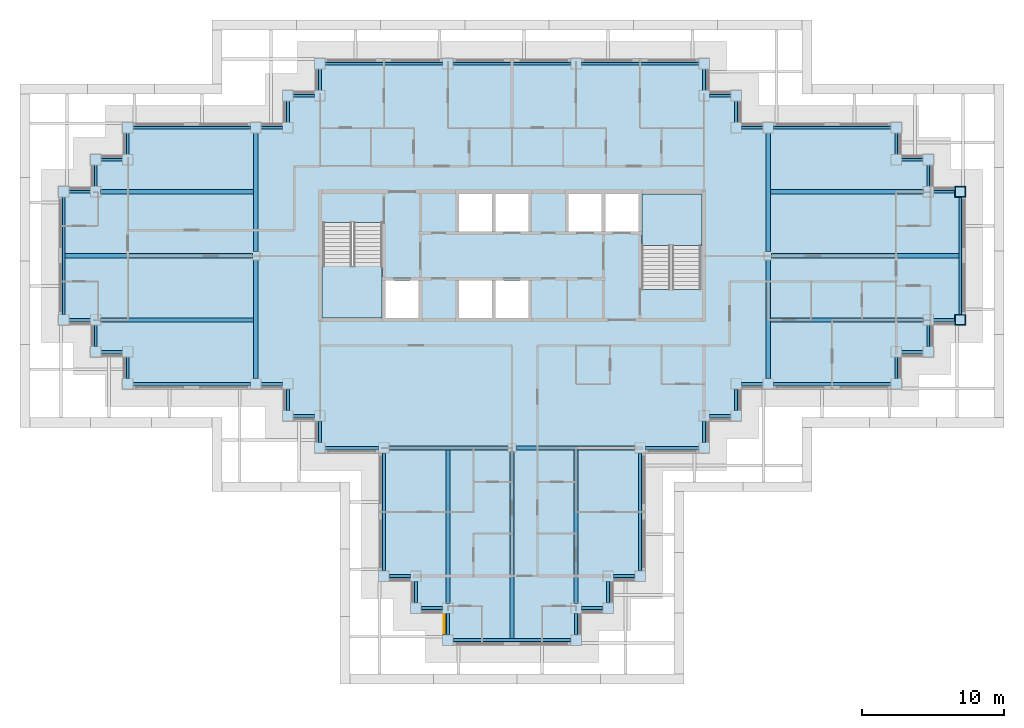
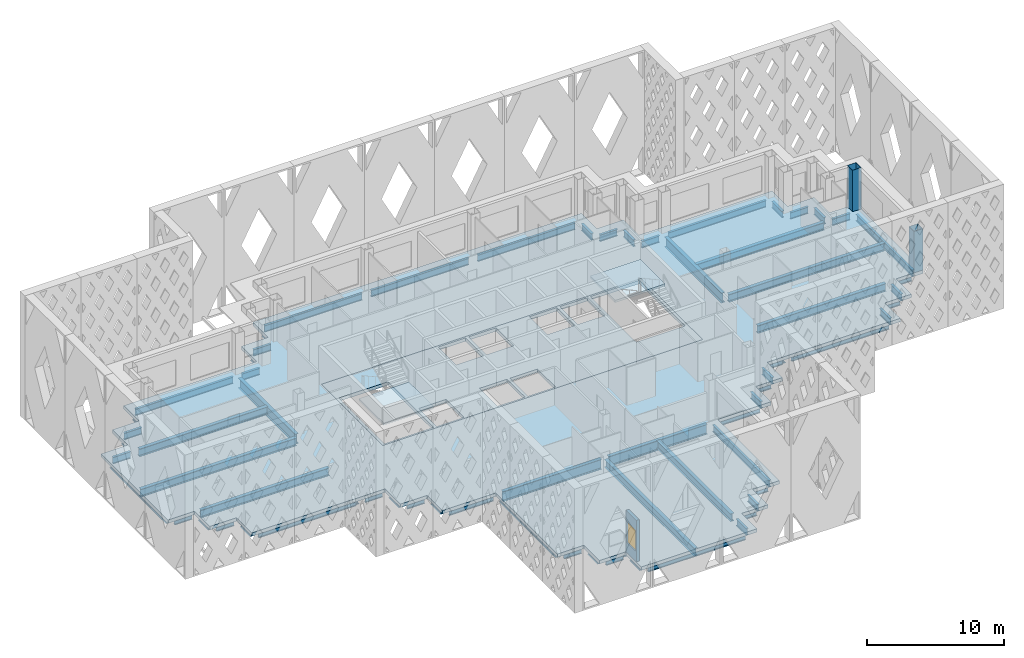
# One storey, part 2 of 18: 69 beams, 4 slabs, 2 columns, 1 wall, 1 window, 1 opening, 2 elements without a shape of their own.
"""IFC4 building model written with IfcOpenShell, lengths in metres."""

from ifc_helpers import new_model, si_unit, direction, frame, frame_2d, origin, origin_2d, place, context, subcontext, project, spatial, polyline, rectangle, hollow_rectangle, i_section, outline, extrude, material, layer, layer_set, material_profile, profile_set, type_object, element, fill, aggregate, save


model = new_model("IFC4")

# Units and contexts
model_context = context("Model", 3, precision=1e-05, world=origin(), true_north=direction((0.0, 1.0)))
body_context = subcontext(model_context, "Body", "Model", "MODEL_VIEW")
ifc_project = project(units=[si_unit("LENGTHUNIT", "METRE"), si_unit("AREAUNIT", "SQUARE_METRE"), si_unit("VOLUMEUNIT", "CUBIC_METRE"), si_unit("PLANEANGLEUNIT", "RADIAN"), si_unit("MASSUNIT", "GRAM", prefix="KILO")], contexts=[model_context])

# Site, building, storey
site_placement = place(None, origin())
site = spatial("IfcSite", under=ifc_project, at=site_placement, CompositionType="ELEMENT")
building_placement = place(site_placement, origin())
building = spatial("IfcBuilding", under=site, at=building_placement, Name="Caravel Reach Hotel and Residences", CompositionType="ELEMENT")
storey_placement = place(building_placement, frame((0.0, 0.0, 176.5)))
storey = spatial("IfcBuildingStorey", under=building, at=storey_placement, Name="L44", CompositionType="ELEMENT", Elevation=176.5)

# Columns
ifc_material_1 = material(Name="Concrete-filled steel tube Q390B with Concrete C60 infill", Category="concrete")
ifc_material_profile_1 = material_profile(ifc_material_1, hollow_rectangle(XDim=0.75, YDim=0.75, WallThickness=0.02392578125, at=origin_2d()), Name="RHS 750x750x24")
ifc_profile_set_1 = profile_set([ifc_material_profile_1], Name="Concrete-filled steel tube Q390B with Concrete C60 infill")
column_type = type_object("IfcColumnType", Name="CFT 750x750 Q390B C60", PredefinedType="COLUMN", material=ifc_profile_set_1)
for number, where, z_axis, x_axis, name in (
    (1, (63.0, 22.5, 0.0), (0.0, 0.0, 1.0), (1.0, 0.0, 0.0), "C14 column"),
    (2, (63.0, 31.5, 0.0), (0.0, 0.0, 1.0), (1.0, 0.0, 0.0), "C14 column"),
):
    element("IfcColumn", number, at=place(storey_placement, frame(where, z_axis=z_axis, x_axis=x_axis)), inside=storey, type_object=column_type, Name=name, PredefinedType="COLUMN", context=body_context, shape_type="SweptSolid", body=[
        extrude(hollow_rectangle(XDim=0.75, YDim=0.75, WallThickness=0.02392578125, at=origin_2d()), origin(), (0.0, 0.0, 1.0), 3.699951171875),
    ])

# Beams
ifc_material_2 = material(Name="Structural steel Q355B", Category="steel")
ifc_material_profile_2 = material_profile(ifc_material_2, i_section(OverallWidth=0.300048828125, OverallDepth=0.699951171875, WebThickness=0.012939453125, FlangeThickness=0.02392578125, FilletRadius=0.01806640625, at=origin_2d()), Name="HN 700x300x13x24")
ifc_profile_set_2 = profile_set([ifc_material_profile_2], Name="Structural steel Q355B")
beam_type_1 = type_object("IfcBeamType", Name="Beam HN 700x300x13x24", PredefinedType="BEAM", material=ifc_profile_set_2)
beam_1_placement = place(storey_placement, frame((27.0, 13.39990234375, -0.64990234375), z_axis=(0.0, -1.0, 0.0), x_axis=(1.0, 0.0, 0.0)))
element("IfcBeam", 3, at=beam_1_placement, inside=storey, type_object=beam_type_1, Name="B2 HN 700x300x13x24", PredefinedType="BEAM", context=body_context, shape_type="SweptSolid", body=[
    extrude(i_section(OverallWidth=0.300048828125, OverallDepth=0.699951171875, WebThickness=0.012939453125, FlangeThickness=0.02392578125, FilletRadius=0.01806640625, at=origin_2d()), origin(), (0.0, 0.0, 1.0), 10.824951171875),
])
beam_2_placement = place(storey_placement, frame((31.5, 13.25, -0.64990234375), z_axis=(0.0, -1.0, 0.0), x_axis=(1.0, 0.0, 0.0)))
element("IfcBeam", 4, at=beam_2_placement, inside=storey, type_object=beam_type_1, Name="B2 HN 700x300x13x24", PredefinedType="BEAM", context=body_context, shape_type="SweptSolid", body=[
    extrude(i_section(OverallWidth=0.300048828125, OverallDepth=0.699951171875, WebThickness=0.012939453125, FlangeThickness=0.02392578125, FilletRadius=0.01806640625, at=origin_2d()), origin(), (0.0, 0.0, 1.0), 13.14990234375),
])
for number, where, z_axis, x_axis, name in (
    (5, (36.0, 13.39990234375, -0.64990234375), (0.0, -1.0, 0.0), (1.0, 0.0, 0.0), "B2 HN 700x300x13x24"),
    (6, (49.60009765625, 22.5, -0.64990234375), (1.0, 0.0, 0.0), (0.0, 1.0, 0.0), "B2 HN 700x300x13x24"),
):
    element("IfcBeam", number, at=place(storey_placement, frame(where, z_axis=z_axis, x_axis=x_axis)), inside=storey, type_object=beam_type_1, Name=name, PredefinedType="BEAM", context=body_context, shape_type="SweptSolid", body=[
        extrude(i_section(OverallWidth=0.300048828125, OverallDepth=0.699951171875, WebThickness=0.012939453125, FlangeThickness=0.02392578125, FilletRadius=0.01806640625, at=origin_2d()), origin(), (0.0, 0.0, 1.0), 10.824951171875),
    ])
beam_3_placement = place(storey_placement, frame((49.75, 27.0, -0.64990234375), z_axis=(1.0, 0.0, 0.0), x_axis=(0.0, 1.0, 0.0)))
element("IfcBeam", 7, at=beam_3_placement, inside=storey, type_object=beam_type_1, Name="B2 HN 700x300x13x24", PredefinedType="BEAM", context=body_context, shape_type="SweptSolid", body=[
    extrude(i_section(OverallWidth=0.300048828125, OverallDepth=0.699951171875, WebThickness=0.012939453125, FlangeThickness=0.02392578125, FilletRadius=0.01806640625, at=origin_2d()), origin(), (0.0, 0.0, 1.0), 13.14990234375),
])
for number, where, z_axis, x_axis, name in (
    (8, (49.60009765625, 31.5, -0.64990234375), (1.0, 0.0, 0.0), (0.0, 1.0, 0.0), "B2 HN 700x300x13x24"),
    (9, (13.39990234375, 22.5, -0.64990234375), (-1.0, 0.0, 0.0), (0.0, -1.0, 0.0), "B2 HN 700x300x13x24"),
):
    element("IfcBeam", number, at=place(storey_placement, frame(where, z_axis=z_axis, x_axis=x_axis)), inside=storey, type_object=beam_type_1, Name=name, PredefinedType="BEAM", context=body_context, shape_type="SweptSolid", body=[
        extrude(i_section(OverallWidth=0.300048828125, OverallDepth=0.699951171875, WebThickness=0.012939453125, FlangeThickness=0.02392578125, FilletRadius=0.01806640625, at=origin_2d()), origin(), (0.0, 0.0, 1.0), 10.824951171875),
    ])
beam_4_placement = place(storey_placement, frame((13.25, 27.0, -0.64990234375), z_axis=(-1.0, 0.0, 0.0), x_axis=(0.0, -1.0, 0.0)))
element("IfcBeam", 10, at=beam_4_placement, inside=storey, type_object=beam_type_1, Name="B2 HN 700x300x13x24", PredefinedType="BEAM", context=body_context, shape_type="SweptSolid", body=[
    extrude(i_section(OverallWidth=0.300048828125, OverallDepth=0.699951171875, WebThickness=0.012939453125, FlangeThickness=0.02392578125, FilletRadius=0.01806640625, at=origin_2d()), origin(), (0.0, 0.0, 1.0), 13.14990234375),
])
beam_5_placement = place(storey_placement, frame((13.39990234375, 31.5, -0.64990234375), z_axis=(-1.0, 0.0, 0.0), x_axis=(0.0, -1.0, 0.0)))
element("IfcBeam", 11, at=beam_5_placement, inside=storey, type_object=beam_type_1, Name="B2 HN 700x300x13x24", PredefinedType="BEAM", context=body_context, shape_type="SweptSolid", body=[
    extrude(i_section(OverallWidth=0.300048828125, OverallDepth=0.699951171875, WebThickness=0.012939453125, FlangeThickness=0.02392578125, FilletRadius=0.01806640625, at=origin_2d()), origin(), (0.0, 0.0, 1.0), 10.824951171875),
])
ifc_material_3 = material(Name="Structural steel Q355B", Category="steel")
ifc_material_profile_3 = material_profile(ifc_material_3, i_section(OverallWidth=0.300048828125, OverallDepth=0.89990234375, WebThickness=0.01611328125, FlangeThickness=0.028076171875, FilletRadius=0.01806640625, at=origin_2d()), Name="HN 900x300x16x28")
ifc_profile_set_3 = profile_set([ifc_material_profile_3], Name="Structural steel Q355B")
beam_type_2 = type_object("IfcBeamType", Name="Beam HN 900x300x16x28", PredefinedType="BEAM", material=ifc_profile_set_3)
for number, where, z_axis, x_axis, name in (
    (12, (22.875, 13.5, -0.75), (1.0, 0.0, 0.0), (0.0, 1.0, 0.0), "B3 HN 900x300x16x28"),
    (13, (31.800048828125, 13.5, -0.75), (1.0, 0.0, 0.0), (0.0, 1.0, 0.0), "B3 HN 900x300x16x28"),
    (14, (13.5, 18.375, -0.75), (0.0, 1.0, 0.0), (-1.0, 0.0, 0.0), "B3 HN 900x300x16x28"),
    (15, (13.5, 27.300048828125, -0.75), (0.0, 1.0, 0.0), (-1.0, 0.0, 0.0), "B3 HN 900x300x16x28"),
    (16, (49.5, 18.375, -0.75), (0.0, 1.0, 0.0), (-1.0, 0.0, 0.0), "B3 HN 900x300x16x28"),
    (17, (49.5, 27.300048828125, -0.75), (0.0, 1.0, 0.0), (-1.0, 0.0, 0.0), "B3 HN 900x300x16x28"),
):
    element("IfcBeam", number, at=place(storey_placement, frame(where, z_axis=z_axis, x_axis=x_axis)), inside=storey, type_object=beam_type_2, Name=name, PredefinedType="BEAM", context=body_context, shape_type="SweptSolid", body=[
        extrude(i_section(OverallWidth=0.300048828125, OverallDepth=0.89990234375, WebThickness=0.01611328125, FlangeThickness=0.028076171875, FilletRadius=0.01806640625, at=origin_2d()), origin(), (0.0, 0.0, 1.0), 8.324951171875),
    ])
ifc_material_4 = material(Name="Structural steel Q355B", Category="steel")
ifc_material_profile_4 = material_profile(ifc_material_4, i_section(OverallWidth=0.199951171875, OverallDepth=0.60009765625, WebThickness=0.010986328125, FlangeThickness=0.01708984375, FilletRadius=0.012939453125, at=origin_2d()), Name="HN 600x200x11x17")
ifc_profile_set_4 = profile_set([ifc_material_profile_4], Name="Structural steel Q355B")
beam_type_3 = type_object("IfcBeamType", Name="Spandrel beam HN 600x200x11x17", PredefinedType="SPANDREL", material=ifc_profile_set_4)
for number, where, z_axis, x_axis, name in (
    (18, (22.875, 4.5, -0.60009765625), (1.0, 0.0, 0.0), (0.0, 1.0, 0.0), "SP1 HN 600x200x11x17"),
    (19, (24.75, 4.125, -0.60009765625), (0.0, -1.0, 0.0), (1.0, 0.0, 0.0), "SP1 HN 600x200x11x17"),
    (20, (25.125, 2.25, -0.60009765625), (1.0, 0.0, 0.0), (0.0, 1.0, 0.0), "SP1 HN 600x200x11x17"),
    (21, (27.0, 1.875, -0.60009765625), (0.0, -1.0, 0.0), (1.0, 0.0, 0.0), "SP1 HN 600x200x11x17"),
):
    element("IfcBeam", number, at=place(storey_placement, frame(where, z_axis=z_axis, x_axis=x_axis)), inside=storey, type_object=beam_type_3, Name=name, PredefinedType="SPANDREL", context=body_context, shape_type="SweptSolid", body=[
        extrude(i_section(OverallWidth=0.199951171875, OverallDepth=0.60009765625, WebThickness=0.010986328125, FlangeThickness=0.01708984375, FilletRadius=0.012939453125, at=origin_2d()), origin(), (0.0, 0.0, 1.0), 1.5),
    ])
beam_6_placement = place(storey_placement, frame((27.375, 0.0, -0.60009765625), z_axis=(1.0, 0.0, 0.0), x_axis=(0.0, 1.0, 0.0)))
element("IfcBeam", 22, at=beam_6_placement, inside=storey, type_object=beam_type_3, Name="SP1 HN 600x200x11x17", PredefinedType="SPANDREL", context=body_context, shape_type="SweptSolid", body=[
    extrude(i_section(OverallWidth=0.199951171875, OverallDepth=0.60009765625, WebThickness=0.010986328125, FlangeThickness=0.01708984375, FilletRadius=0.012939453125, at=origin_2d()), origin(), (0.0, 0.0, 1.0), 8.25),
])
for number, where, z_axis, x_axis, name in (
    (23, (36.0, 0.375, -0.60009765625), (0.0, 1.0, 0.0), (-1.0, 0.0, 0.0), "SP1 HN 600x200x11x17"),
    (24, (36.375, 2.25, -0.60009765625), (1.0, 0.0, 0.0), (0.0, 1.0, 0.0), "SP1 HN 600x200x11x17"),
    (25, (38.25, 2.625, -0.60009765625), (0.0, 1.0, 0.0), (-1.0, 0.0, 0.0), "SP1 HN 600x200x11x17"),
    (26, (38.625, 4.5, -0.60009765625), (1.0, 0.0, 0.0), (0.0, 1.0, 0.0), "SP1 HN 600x200x11x17"),
):
    element("IfcBeam", number, at=place(storey_placement, frame(where, z_axis=z_axis, x_axis=x_axis)), inside=storey, type_object=beam_type_3, Name=name, PredefinedType="SPANDREL", context=body_context, shape_type="SweptSolid", body=[
        extrude(i_section(OverallWidth=0.199951171875, OverallDepth=0.60009765625, WebThickness=0.010986328125, FlangeThickness=0.01708984375, FilletRadius=0.012939453125, at=origin_2d()), origin(), (0.0, 0.0, 1.0), 1.5),
    ])
beam_7_placement = place(storey_placement, frame((40.5, 4.875, -0.60009765625), z_axis=(0.0, 1.0, 0.0), x_axis=(-1.0, 0.0, 0.0)))
element("IfcBeam", 27, at=beam_7_placement, inside=storey, type_object=beam_type_3, Name="SP1 HN 600x200x11x17", PredefinedType="SPANDREL", context=body_context, shape_type="SweptSolid", body=[
    extrude(i_section(OverallWidth=0.199951171875, OverallDepth=0.60009765625, WebThickness=0.010986328125, FlangeThickness=0.01708984375, FilletRadius=0.012939453125, at=origin_2d()), origin(), (0.0, 0.0, 1.0), 8.25),
])
beam_8_placement = place(storey_placement, frame((40.875, 13.5, -0.60009765625), z_axis=(1.0, 0.0, 0.0), x_axis=(0.0, 1.0, 0.0)))
element("IfcBeam", 28, at=beam_8_placement, inside=storey, type_object=beam_type_3, Name="SP1 HN 600x200x11x17", PredefinedType="SPANDREL", context=body_context, shape_type="SweptSolid", body=[
    extrude(i_section(OverallWidth=0.199951171875, OverallDepth=0.60009765625, WebThickness=0.010986328125, FlangeThickness=0.01708984375, FilletRadius=0.012939453125, at=origin_2d()), origin(), (0.0, 0.0, 1.0), 3.75),
])
for number, where, z_axis, x_axis, name in (
    (29, (45.0, 13.875, -0.60009765625), (0.0, 1.0, 0.0), (-1.0, 0.0, 0.0), "SP1 HN 600x200x11x17"),
    (30, (45.375, 15.75, -0.60009765625), (1.0, 0.0, 0.0), (0.0, 1.0, 0.0), "SP1 HN 600x200x11x17"),
    (31, (47.25, 16.125, -0.60009765625), (0.0, 1.0, 0.0), (-1.0, 0.0, 0.0), "SP1 HN 600x200x11x17"),
    (32, (47.625, 18.0, -0.60009765625), (1.0, 0.0, 0.0), (0.0, 1.0, 0.0), "SP1 HN 600x200x11x17"),
):
    element("IfcBeam", number, at=place(storey_placement, frame(where, z_axis=z_axis, x_axis=x_axis)), inside=storey, type_object=beam_type_3, Name=name, PredefinedType="SPANDREL", context=body_context, shape_type="SweptSolid", body=[
        extrude(i_section(OverallWidth=0.199951171875, OverallDepth=0.60009765625, WebThickness=0.010986328125, FlangeThickness=0.01708984375, FilletRadius=0.012939453125, at=origin_2d()), origin(), (0.0, 0.0, 1.0), 1.5),
    ])
beam_9_placement = place(storey_placement, frame((49.875, 18.0, -0.60009765625), z_axis=(1.0, 0.0, 0.0), x_axis=(0.0, 1.0, 0.0)))
element("IfcBeam", 33, at=beam_9_placement, inside=storey, type_object=beam_type_3, Name="SP1 HN 600x200x11x17", PredefinedType="SPANDREL", context=body_context, shape_type="SweptSolid", body=[
    extrude(i_section(OverallWidth=0.199951171875, OverallDepth=0.60009765625, WebThickness=0.010986328125, FlangeThickness=0.01708984375, FilletRadius=0.012939453125, at=origin_2d()), origin(), (0.0, 0.0, 1.0), 8.25),
])
for number, where, z_axis, x_axis, name in (
    (34, (58.5, 18.375, -0.60009765625), (0.0, 1.0, 0.0), (-1.0, 0.0, 0.0), "SP1 HN 600x200x11x17"),
    (35, (58.875, 20.25, -0.60009765625), (1.0, 0.0, 0.0), (0.0, 1.0, 0.0), "SP1 HN 600x200x11x17"),
    (36, (60.75, 20.625, -0.60009765625), (0.0, 1.0, 0.0), (-1.0, 0.0, 0.0), "SP1 HN 600x200x11x17"),
    (37, (61.125, 22.5, -0.60009765625), (1.0, 0.0, 0.0), (0.0, 1.0, 0.0), "SP1 HN 600x200x11x17"),
):
    element("IfcBeam", number, at=place(storey_placement, frame(where, z_axis=z_axis, x_axis=x_axis)), inside=storey, type_object=beam_type_3, Name=name, PredefinedType="SPANDREL", context=body_context, shape_type="SweptSolid", body=[
        extrude(i_section(OverallWidth=0.199951171875, OverallDepth=0.60009765625, WebThickness=0.010986328125, FlangeThickness=0.01708984375, FilletRadius=0.012939453125, at=origin_2d()), origin(), (0.0, 0.0, 1.0), 1.5),
    ])
beam_10_placement = place(storey_placement, frame((63.0, 22.875, -0.60009765625), z_axis=(0.0, 1.0, 0.0), x_axis=(-1.0, 0.0, 0.0)))
element("IfcBeam", 38, at=beam_10_placement, inside=storey, type_object=beam_type_3, Name="SP1 HN 600x200x11x17", PredefinedType="SPANDREL", context=body_context, shape_type="SweptSolid", body=[
    extrude(i_section(OverallWidth=0.199951171875, OverallDepth=0.60009765625, WebThickness=0.010986328125, FlangeThickness=0.01708984375, FilletRadius=0.012939453125, at=origin_2d()), origin(), (0.0, 0.0, 1.0), 8.25),
])
for number, where, z_axis, x_axis, name in (
    (39, (62.625, 31.5, -0.60009765625), (-1.0, 0.0, 0.0), (0.0, -1.0, 0.0), "SP1 HN 600x200x11x17"),
    (40, (60.75, 31.875, -0.60009765625), (0.0, 1.0, 0.0), (-1.0, 0.0, 0.0), "SP1 HN 600x200x11x17"),
    (41, (60.375, 33.75, -0.60009765625), (-1.0, 0.0, 0.0), (0.0, -1.0, 0.0), "SP1 HN 600x200x11x17"),
    (42, (58.5, 34.125, -0.60009765625), (0.0, 1.0, 0.0), (-1.0, 0.0, 0.0), "SP1 HN 600x200x11x17"),
):
    element("IfcBeam", number, at=place(storey_placement, frame(where, z_axis=z_axis, x_axis=x_axis)), inside=storey, type_object=beam_type_3, Name=name, PredefinedType="SPANDREL", context=body_context, shape_type="SweptSolid", body=[
        extrude(i_section(OverallWidth=0.199951171875, OverallDepth=0.60009765625, WebThickness=0.010986328125, FlangeThickness=0.01708984375, FilletRadius=0.012939453125, at=origin_2d()), origin(), (0.0, 0.0, 1.0), 1.5),
    ])
beam_11_placement = place(storey_placement, frame((58.125, 36.0, -0.60009765625), z_axis=(-1.0, 0.0, 0.0), x_axis=(0.0, -1.0, 0.0)))
element("IfcBeam", 43, at=beam_11_placement, inside=storey, type_object=beam_type_3, Name="SP1 HN 600x200x11x17", PredefinedType="SPANDREL", context=body_context, shape_type="SweptSolid", body=[
    extrude(i_section(OverallWidth=0.199951171875, OverallDepth=0.60009765625, WebThickness=0.010986328125, FlangeThickness=0.01708984375, FilletRadius=0.012939453125, at=origin_2d()), origin(), (0.0, 0.0, 1.0), 8.25),
])
for number, where, z_axis, x_axis, name in (
    (44, (49.125, 36.0, -0.60009765625), (-1.0, 0.0, 0.0), (0.0, -1.0, 0.0), "SP1 HN 600x200x11x17"),
    (45, (47.25, 36.375, -0.60009765625), (0.0, 1.0, 0.0), (-1.0, 0.0, 0.0), "SP1 HN 600x200x11x17"),
    (46, (46.875, 38.25, -0.60009765625), (-1.0, 0.0, 0.0), (0.0, -1.0, 0.0), "SP1 HN 600x200x11x17"),
    (47, (45.0, 38.625, -0.60009765625), (0.0, 1.0, 0.0), (-1.0, 0.0, 0.0), "SP1 HN 600x200x11x17"),
):
    element("IfcBeam", number, at=place(storey_placement, frame(where, z_axis=z_axis, x_axis=x_axis)), inside=storey, type_object=beam_type_3, Name=name, PredefinedType="SPANDREL", context=body_context, shape_type="SweptSolid", body=[
        extrude(i_section(OverallWidth=0.199951171875, OverallDepth=0.60009765625, WebThickness=0.010986328125, FlangeThickness=0.01708984375, FilletRadius=0.012939453125, at=origin_2d()), origin(), (0.0, 0.0, 1.0), 1.5),
    ])
for number, where, z_axis, x_axis, name in (
    (48, (44.625, 40.5, -0.60009765625), (-1.0, 0.0, 0.0), (0.0, -1.0, 0.0), "SP1 HN 600x200x11x17"),
    (49, (35.625, 40.5, -0.60009765625), (-1.0, 0.0, 0.0), (0.0, -1.0, 0.0), "SP1 HN 600x200x11x17"),
    (50, (26.625, 40.5, -0.60009765625), (-1.0, 0.0, 0.0), (0.0, -1.0, 0.0), "SP1 HN 600x200x11x17"),
):
    element("IfcBeam", number, at=place(storey_placement, frame(where, z_axis=z_axis, x_axis=x_axis)), inside=storey, type_object=beam_type_3, Name=name, PredefinedType="SPANDREL", context=body_context, shape_type="SweptSolid", body=[
        extrude(i_section(OverallWidth=0.199951171875, OverallDepth=0.60009765625, WebThickness=0.010986328125, FlangeThickness=0.01708984375, FilletRadius=0.012939453125, at=origin_2d()), origin(), (0.0, 0.0, 1.0), 8.25),
    ])
for number, where, z_axis, x_axis, name in (
    (51, (18.0, 40.125, -0.60009765625), (0.0, -1.0, 0.0), (1.0, 0.0, 0.0), "SP1 HN 600x200x11x17"),
    (52, (17.625, 38.25, -0.60009765625), (-1.0, 0.0, 0.0), (0.0, -1.0, 0.0), "SP1 HN 600x200x11x17"),
    (53, (15.75, 37.875, -0.60009765625), (0.0, -1.0, 0.0), (1.0, 0.0, 0.0), "SP1 HN 600x200x11x17"),
    (54, (15.375, 36.0, -0.60009765625), (-1.0, 0.0, 0.0), (0.0, -1.0, 0.0), "SP1 HN 600x200x11x17"),
):
    element("IfcBeam", number, at=place(storey_placement, frame(where, z_axis=z_axis, x_axis=x_axis)), inside=storey, type_object=beam_type_3, Name=name, PredefinedType="SPANDREL", context=body_context, shape_type="SweptSolid", body=[
        extrude(i_section(OverallWidth=0.199951171875, OverallDepth=0.60009765625, WebThickness=0.010986328125, FlangeThickness=0.01708984375, FilletRadius=0.012939453125, at=origin_2d()), origin(), (0.0, 0.0, 1.0), 1.5),
    ])
beam_12_placement = place(storey_placement, frame((13.125, 36.0, -0.60009765625), z_axis=(-1.0, 0.0, 0.0), x_axis=(0.0, -1.0, 0.0)))
element("IfcBeam", 55, at=beam_12_placement, inside=storey, type_object=beam_type_3, Name="SP1 HN 600x200x11x17", PredefinedType="SPANDREL", context=body_context, shape_type="SweptSolid", body=[
    extrude(i_section(OverallWidth=0.199951171875, OverallDepth=0.60009765625, WebThickness=0.010986328125, FlangeThickness=0.01708984375, FilletRadius=0.012939453125, at=origin_2d()), origin(), (0.0, 0.0, 1.0), 8.25),
])
for number, where, z_axis, x_axis, name in (
    (56, (4.5, 35.625, -0.60009765625), (0.0, -1.0, 0.0), (1.0, 0.0, 0.0), "SP1 HN 600x200x11x17"),
    (57, (4.125, 33.75, -0.60009765625), (-1.0, 0.0, 0.0), (0.0, -1.0, 0.0), "SP1 HN 600x200x11x17"),
    (58, (2.25, 33.375, -0.60009765625), (0.0, -1.0, 0.0), (1.0, 0.0, 0.0), "SP1 HN 600x200x11x17"),
    (59, (1.875, 31.5, -0.60009765625), (-1.0, 0.0, 0.0), (0.0, -1.0, 0.0), "SP1 HN 600x200x11x17"),
):
    element("IfcBeam", number, at=place(storey_placement, frame(where, z_axis=z_axis, x_axis=x_axis)), inside=storey, type_object=beam_type_3, Name=name, PredefinedType="SPANDREL", context=body_context, shape_type="SweptSolid", body=[
        extrude(i_section(OverallWidth=0.199951171875, OverallDepth=0.60009765625, WebThickness=0.010986328125, FlangeThickness=0.01708984375, FilletRadius=0.012939453125, at=origin_2d()), origin(), (0.0, 0.0, 1.0), 1.5),
    ])
beam_13_placement = place(storey_placement, frame((0.0, 31.125, -0.60009765625), z_axis=(0.0, -1.0, 0.0), x_axis=(1.0, 0.0, 0.0)))
element("IfcBeam", 60, at=beam_13_placement, inside=storey, type_object=beam_type_3, Name="SP1 HN 600x200x11x17", PredefinedType="SPANDREL", context=body_context, shape_type="SweptSolid", body=[
    extrude(i_section(OverallWidth=0.199951171875, OverallDepth=0.60009765625, WebThickness=0.010986328125, FlangeThickness=0.01708984375, FilletRadius=0.012939453125, at=origin_2d()), origin(), (0.0, 0.0, 1.0), 8.25),
])
for number, where, z_axis, x_axis, name in (
    (61, (0.375, 22.5, -0.60009765625), (1.0, 0.0, 0.0), (0.0, 1.0, 0.0), "SP1 HN 600x200x11x17"),
    (62, (2.25, 22.125, -0.60009765625), (0.0, -1.0, 0.0), (1.0, 0.0, 0.0), "SP1 HN 600x200x11x17"),
    (63, (2.625, 20.25, -0.60009765625), (1.0, 0.0, 0.0), (0.0, 1.0, 0.0), "SP1 HN 600x200x11x17"),
    (64, (4.5, 19.875, -0.60009765625), (0.0, -1.0, 0.0), (1.0, 0.0, 0.0), "SP1 HN 600x200x11x17"),
):
    element("IfcBeam", number, at=place(storey_placement, frame(where, z_axis=z_axis, x_axis=x_axis)), inside=storey, type_object=beam_type_3, Name=name, PredefinedType="SPANDREL", context=body_context, shape_type="SweptSolid", body=[
        extrude(i_section(OverallWidth=0.199951171875, OverallDepth=0.60009765625, WebThickness=0.010986328125, FlangeThickness=0.01708984375, FilletRadius=0.012939453125, at=origin_2d()), origin(), (0.0, 0.0, 1.0), 1.5),
    ])
beam_14_placement = place(storey_placement, frame((4.875, 18.0, -0.60009765625), z_axis=(1.0, 0.0, 0.0), x_axis=(0.0, 1.0, 0.0)))
element("IfcBeam", 65, at=beam_14_placement, inside=storey, type_object=beam_type_3, Name="SP1 HN 600x200x11x17", PredefinedType="SPANDREL", context=body_context, shape_type="SweptSolid", body=[
    extrude(i_section(OverallWidth=0.199951171875, OverallDepth=0.60009765625, WebThickness=0.010986328125, FlangeThickness=0.01708984375, FilletRadius=0.012939453125, at=origin_2d()), origin(), (0.0, 0.0, 1.0), 8.25),
])
for number, where, z_axis, x_axis, name in (
    (66, (13.875, 18.0, -0.60009765625), (1.0, 0.0, 0.0), (0.0, 1.0, 0.0), "SP1 HN 600x200x11x17"),
    (67, (15.75, 17.625, -0.60009765625), (0.0, -1.0, 0.0), (1.0, 0.0, 0.0), "SP1 HN 600x200x11x17"),
    (68, (16.125, 15.75, -0.60009765625), (1.0, 0.0, 0.0), (0.0, 1.0, 0.0), "SP1 HN 600x200x11x17"),
    (69, (18.0, 15.375, -0.60009765625), (0.0, -1.0, 0.0), (1.0, 0.0, 0.0), "SP1 HN 600x200x11x17"),
):
    element("IfcBeam", number, at=place(storey_placement, frame(where, z_axis=z_axis, x_axis=x_axis)), inside=storey, type_object=beam_type_3, Name=name, PredefinedType="SPANDREL", context=body_context, shape_type="SweptSolid", body=[
        extrude(i_section(OverallWidth=0.199951171875, OverallDepth=0.60009765625, WebThickness=0.010986328125, FlangeThickness=0.01708984375, FilletRadius=0.012939453125, at=origin_2d()), origin(), (0.0, 0.0, 1.0), 1.5),
    ])
beam_15_placement = place(storey_placement, frame((18.375, 13.5, -0.60009765625), z_axis=(1.0, 0.0, 0.0), x_axis=(0.0, 1.0, 0.0)))
element("IfcBeam", 70, at=beam_15_placement, inside=storey, type_object=beam_type_3, Name="SP1 HN 600x200x11x17", PredefinedType="SPANDREL", context=body_context, shape_type="SweptSolid", body=[
    extrude(i_section(OverallWidth=0.199951171875, OverallDepth=0.60009765625, WebThickness=0.010986328125, FlangeThickness=0.01708984375, FilletRadius=0.012939453125, at=origin_2d()), origin(), (0.0, 0.0, 1.0), 3.75),
])
beam_16_placement = place(storey_placement, frame((22.5, 13.125, -0.60009765625), z_axis=(0.0, -1.0, 0.0), x_axis=(1.0, 0.0, 0.0)))
element("IfcBeam", 71, at=beam_16_placement, inside=storey, type_object=beam_type_3, Name="SP1 HN 600x200x11x17", PredefinedType="SPANDREL", context=body_context, shape_type="SweptSolid", body=[
    extrude(i_section(OverallWidth=0.199951171875, OverallDepth=0.60009765625, WebThickness=0.010986328125, FlangeThickness=0.01708984375, FilletRadius=0.012939453125, at=origin_2d()), origin(), (0.0, 0.0, 1.0), 8.25),
])

# Slab
ifc_material_5 = material(Name="Concrete C40", Category="concrete")
ifc_layer_1 = layer(ifc_material_5, 0.300048828125)
ifc_layer_set_1 = layer_set([ifc_layer_1], Name="Core floor slab 300 mm")
slab_type_1 = type_object("IfcSlabType", Name="Core floor slab 300 mm", PredefinedType="FLOOR", material=ifc_layer_set_1)
slab_1_placement = place(storey_placement, frame((0.0, 0.0, -0.300048828125)))
element("IfcSlab", 72, at=slab_1_placement, inside=storey, type_object=slab_type_1, Name="L44 core floor", PredefinedType="FLOOR", context=body_context, shape_type="SweptSolid", body=[
    extrude(outline(polyline([(18.0, 31.5), (45.0, 31.5), (45.0, 22.5), (18.0, 22.5), (18.0, 31.5)]), holes=[polyline([(22.625, 25.27490234375), (22.625, 22.64990234375), (24.9462890625, 22.64990234375), (24.9462890625, 25.27490234375), (22.625, 25.27490234375)]), polyline([(27.767822265625, 25.27490234375), (27.767822265625, 22.64990234375), (30.08935546875, 22.64990234375), (30.08935546875, 25.27490234375), (27.767822265625, 25.27490234375)]), polyline([(30.33935546875, 25.27490234375), (30.33935546875, 22.64990234375), (32.66064453125, 22.64990234375), (32.66064453125, 25.27490234375), (30.33935546875, 25.27490234375)]), polyline([(22.375, 22.64990234375), (22.375, 29.35009765625), (18.22509765625, 29.35009765625), (18.22509765625, 22.64990234375), (22.375, 22.64990234375)]), polyline([(40.625, 31.35009765625), (40.625, 24.64990234375), (44.77490234375, 24.64990234375), (44.77490234375, 31.35009765625), (40.625, 31.35009765625)]), polyline([(27.767822265625, 31.35009765625), (27.767822265625, 28.72509765625), (30.08935546875, 28.72509765625), (30.08935546875, 31.35009765625), (27.767822265625, 31.35009765625)]), polyline([(30.33935546875, 31.35009765625), (30.33935546875, 28.72509765625), (32.66064453125, 28.72509765625), (32.66064453125, 31.35009765625), (30.33935546875, 31.35009765625)]), polyline([(37.8037109375, 31.35009765625), (35.482177734375, 31.35009765625), (35.482177734375, 28.72509765625), (37.8037109375, 28.72509765625), (37.8037109375, 31.35009765625)]), polyline([(40.375, 31.35009765625), (38.0537109375, 31.35009765625), (38.0537109375, 28.72509765625), (40.375, 28.72509765625), (40.375, 31.35009765625)])]), origin(), (0.0, 0.0, 1.0), 0.300048828125),
])

# Stair, slab
ifc_material_6 = material(Name="Concrete C40", Category="concrete")
stair_type = type_object("IfcStairType", Name="Core stair", PredefinedType="HALF_TURN_STAIR", material=ifc_material_6)
stair_1_placement = place(storey_placement, origin())
stair_1 = element("IfcStair", 73, at=stair_1_placement, inside=storey, type_object=stair_type, Name="L44 Exit stair A", PredefinedType="HALF_TURN_STAIR")
ifc_material_7 = material(Name="Concrete C40", Category="concrete")
ifc_layer_2 = layer(ifc_material_7, 0.199951171875)
ifc_layer_set_2 = layer_set([ifc_layer_2], Name="Core stair landing")
slab_type_2 = type_object("IfcSlabType", Name="Core stair landing", PredefinedType="LANDING", material=ifc_layer_set_2)
slab_2_placement = place(storey_placement, frame((0.0, 0.0, 1.64990234375)))
slab_2 = element("IfcSlab", 74, at=slab_2_placement, type_object=slab_type_2, Name="ST-A landing 1", PredefinedType="LANDING", context=body_context, shape_type="SweptSolid", body=[
    extrude(outline(polyline([(18.14990234375, 26.27001953125), (18.14990234375, 22.64990234375), (22.375, 22.64990234375), (22.375, 26.27001953125), (18.14990234375, 26.27001953125)])), origin(), (0.0, 0.0, 1.0), 0.2001953125),
])
aggregate(stair_1, [slab_2])

stair_2_placement = place(storey_placement, origin())
stair_2 = element("IfcStair", 75, at=stair_2_placement, inside=storey, type_object=stair_type, Name="L44 Exit stair B", PredefinedType="HALF_TURN_STAIR")
slab_3_placement = place(storey_placement, frame((0.0, 0.0, 1.64990234375)))
slab_3 = element("IfcSlab", 76, at=slab_3_placement, type_object=slab_type_2, Name="ST-B landing 1", PredefinedType="LANDING", context=body_context, shape_type="SweptSolid", body=[
    extrude(outline(polyline([(44.85009765625, 27.72998046875), (44.85009765625, 31.35009765625), (40.625, 31.35009765625), (40.625, 27.72998046875), (44.85009765625, 27.72998046875)])), origin(), (0.0, 0.0, 1.0), 0.2001953125),
])
aggregate(stair_2, [slab_3])

# Slab
ifc_material_8 = material(Name="Concrete C40 post-tensioned", Category="concrete")
ifc_layer_3 = layer(ifc_material_8, 0.300048828125)
ifc_layer_set_3 = layer_set([ifc_layer_3], Name="Floor slab 300")
slab_type_3 = type_object("IfcSlabType", Name="Floor slab 300", PredefinedType="FLOOR", material=ifc_layer_set_3)
slab_4_placement = place(storey_placement, frame((0.0, 0.0, -0.300048828125)))
element("IfcSlab", 77, at=slab_4_placement, inside=storey, type_object=slab_type_3, Name="S2 slab L44", PredefinedType="FLOOR", context=body_context, shape_type="SweptSolid", body=[
    extrude(outline(polyline([(17.625, 13.125), (17.625, 15.375), (15.375, 15.375), (15.375, 17.625), (4.125, 17.625), (4.125, 19.875), (1.875, 19.875), (1.875, 22.125), (-0.375, 22.125), (-0.375, 31.875), (1.875, 31.875), (1.875, 34.125), (4.125, 34.125), (4.125, 36.375), (15.375, 36.375), (15.375, 38.625), (17.625, 38.625), (17.625, 40.875), (45.375, 40.875), (45.375, 38.625), (47.625, 38.625), (47.625, 36.375), (58.875, 36.375), (58.875, 34.125), (61.125, 34.125), (61.125, 31.875), (63.375, 31.875), (63.375, 22.125), (61.125, 22.125), (61.125, 19.875), (58.875, 19.875), (58.875, 17.625), (47.625, 17.625), (47.625, 15.375), (45.375, 15.375), (45.375, 13.125), (40.875, 13.125), (40.875, 4.125), (38.625, 4.125), (38.625, 1.875), (36.375, 1.875), (36.375, -0.375), (26.625, -0.375), (26.625, 1.875), (24.375, 1.875), (24.375, 4.125), (22.125, 4.125), (22.125, 13.125), (17.625, 13.125)]), holes=[polyline([(45.0, 31.5), (18.0, 31.5), (18.0, 22.5), (45.0, 22.5), (45.0, 31.5)])]), origin(), (0.0, 0.0, 1.0), 0.300048828125),
])

# Wall, opening, window
ifc_material_9 = material(Name="Insulated rainscreen wall, aluminium cladding", Category="aluminium")
ifc_layer_4 = layer(ifc_material_9, 0.25)
ifc_layer_set_4 = layer_set([ifc_layer_4], Name="EW1 Tower rainscreen wall")
wall_type = type_object("IfcWallType", Name="EW1 Tower rainscreen wall", PredefinedType="SOLIDWALL", material=ifc_layer_set_4)
wall_placement = place(storey_placement, frame((26.75, 1.875, 0.0), z_axis=(0.0, 0.0, 1.0), x_axis=(0.0, -1.0, 0.0)))
wall = element("IfcWall", 78, at=wall_placement, inside=storey, type_object=wall_type, Name="External wall L44 W4.1", PredefinedType="SOLIDWALL", context=body_context, shape_type="SweptSolid", body=[
    extrude(rectangle(XDim=1.5, YDim=0.25, at=frame_2d((0.75, 0.0))), origin(), (0.0, 0.0, 1.0), 3.699951171875),
])
opening_placement = place(wall_placement, frame((0.10009765625, 0.0, 0.89990234375)))
opening = element("IfcOpeningElement", 79, at=opening_placement, cuts=wall, Name="Opening WN16", PredefinedType="OPENING", context=body_context, shape_type="SweptSolid", body=[
    extrude(rectangle(XDim=1.300048828125, YDim=1.85009765625, at=frame_2d((0.64990234375, 0.925048828125))), frame((0.0, 0.135009765625, 0.0), z_axis=(0.0, -1.0, 0.0), x_axis=(1.0, 0.0, 0.0)), (0.0, 0.0, 1.0), 0.27001953125),
])
ifc_material_10 = material(Name="Dark low-e glazing in black aluminium frame", Category="aluminium")
window_type = type_object("IfcWindowType", Name="Residence bedroom window 1300 x 1850", PartitioningType="SINGLE_PANEL", PredefinedType="WINDOW", material=ifc_material_10)
window_placement = place(opening_placement, origin())
window = element("IfcWindow", 80, at=window_placement, inside=storey, type_object=window_type, Name="Window L44 W4.1.1", OverallHeight=1.85009765625, OverallWidth=1.300048828125, PartitioningType="SINGLE_PANEL", PredefinedType="WINDOW", context=body_context, shape_type="SweptSolid", body=[
    extrude(rectangle(XDim=1.300048828125, YDim=1.85009765625, at=frame_2d((0.64990234375, 0.925048828125))), frame((0.0, 0.030029296875, 0.0), z_axis=(0.0, -1.0, 0.0), x_axis=(1.0, 0.0, 0.0)), (0.0, 0.0, 1.0), 0.06005859375),
])
fill(opening, window)

save(model, "model.ifc")
